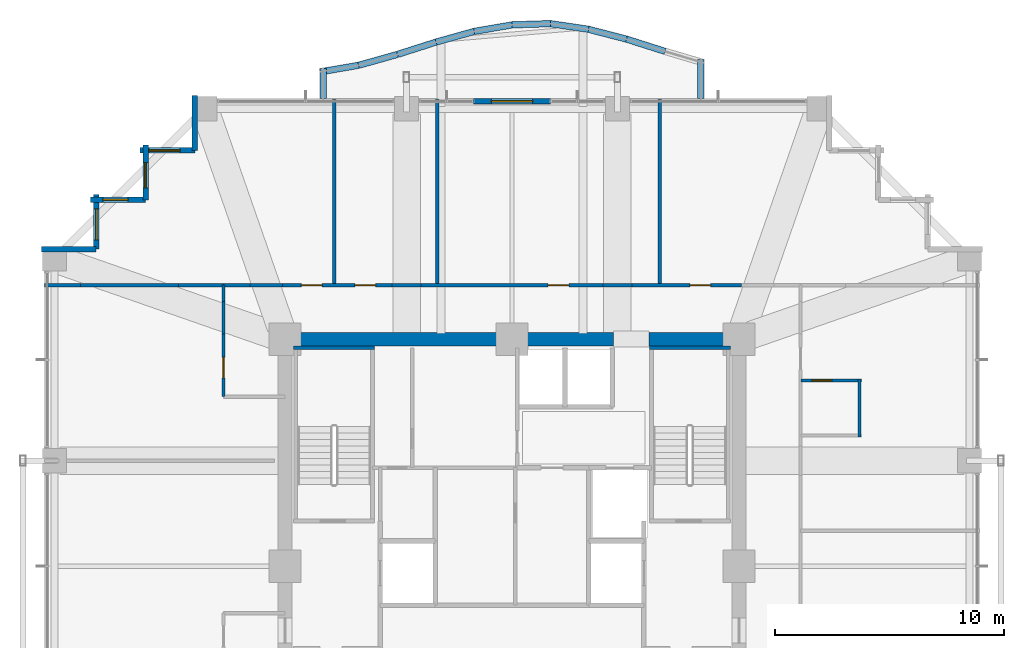
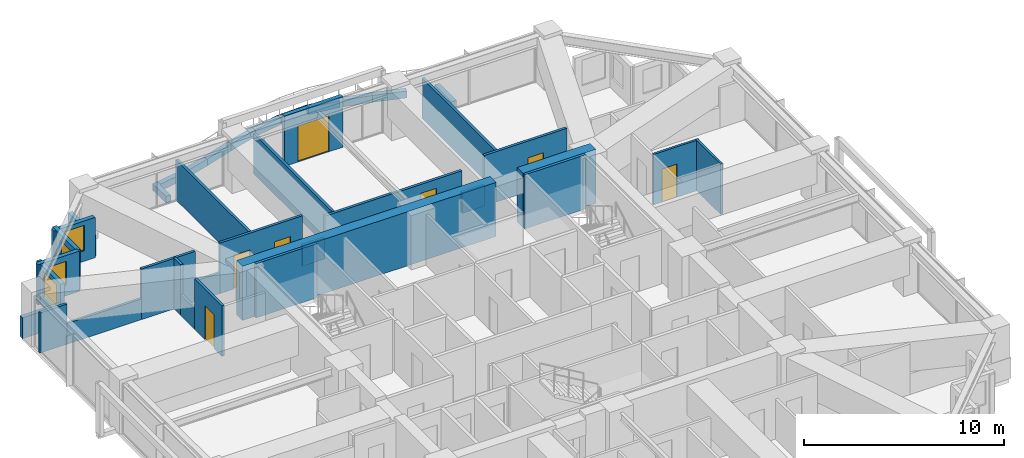
# One storey, part 36 of 39: 40 walls, 7 doors, 4 windows, 11 openings.
"""IFC4 building model written with IfcOpenShell, lengths in metres."""

from ifc_helpers import new_model, si_unit, direction, frame, frame_2d, origin, place, context, subcontext, project, spatial, rectangle, extrude, material, layer, layer_set, type_object, element, fill, save


model = new_model("IFC4")

# Units and contexts
model_context = context("Model", 3, precision=1e-05, world=origin(), true_north=direction((0.0, 1.0)))
body_context = subcontext(model_context, "Body", "Model", "MODEL_VIEW")
ifc_project = project(units=[si_unit("LENGTHUNIT", "METRE"), si_unit("AREAUNIT", "SQUARE_METRE"), si_unit("VOLUMEUNIT", "CUBIC_METRE"), si_unit("PLANEANGLEUNIT", "RADIAN"), si_unit("MASSUNIT", "GRAM", prefix="KILO")], contexts=[model_context])

# Site, building, storey
site_placement = place(None, origin())
site = spatial("IfcSite", under=ifc_project, at=site_placement, CompositionType="ELEMENT")
building_placement = place(site_placement, origin())
building = spatial("IfcBuilding", under=site, at=building_placement, Name="Kolvaren Belvedere", CompositionType="ELEMENT")
storey_placement = place(building_placement, frame((0.0, 0.0, 85.39990234375)))
storey = spatial("IfcBuildingStorey", under=building, at=storey_placement, Name="L24", CompositionType="ELEMENT", Elevation=85.39990234375)

# Walls
ifc_material_1 = material(Name="Concrete C60/75", Category="concrete")
ifc_layer_1 = layer(ifc_material_1, 0.60009765625)
ifc_layer_set_1 = layer_set([ifc_layer_1], Name="Concrete C60/75")
wall_type_1 = type_object("IfcWallType", Name="CW-CORE-600", PredefinedType="SHEAR", material=ifc_layer_set_1)
wall_1_placement = place(storey_placement, frame((-10.199951171875, 9.89990234375, 0.0), z_axis=(0.0, 0.0, 1.0), x_axis=(1.0, 0.0, 0.0)))
element("IfcWall", 1, at=wall_1_placement, inside=storey, type_object=wall_type_1, Name="L24 North Core Shear Wall 1", PredefinedType="SHEAR", context=body_context, shape_type="SweptSolid", body=[
    extrude(rectangle(XDim=14.619873046875, YDim=0.60009765625, at=frame_2d((7.31005859375, 0.0))), origin(), (0.0, 0.0, 1.0), 3.300048828125),
])
wall_2_placement = place(storey_placement, frame((5.97998046875, 9.89990234375, 0.0), z_axis=(0.0, 0.0, 1.0), x_axis=(1.0, 0.0, 0.0)))
element("IfcWall", 2, at=wall_2_placement, inside=storey, type_object=wall_type_1, Name="L24 North Core Shear Wall 2", PredefinedType="SHEAR", context=body_context, shape_type="SweptSolid", body=[
    extrude(rectangle(XDim=4.219970703125, YDim=0.60009765625, at=frame_2d((2.10986328125, 0.0))), origin(), (0.0, 0.0, 1.0), 3.300048828125),
])
ifc_material_2 = material(Name="Concrete C50/60", Category="concrete")
ifc_layer_2 = layer(ifc_material_2, 0.159912109375)
ifc_layer_set_2 = layer_set([ifc_layer_2], Name="Concrete C50/60")
wall_type_2 = type_object("IfcWallType", Name="CW-STAIR-160", PredefinedType="SHEAR", material=ifc_layer_set_2)
for number, where, z_axis, x_axis, name in (
    (3, (-9.52001953125, 9.530029296875, 0.0), (0.0, 0.0, 1.0), (1.0, 0.0, 0.0), "L24 Stair ST-1 North Shear Wall"),
    (4, (6.0, 9.530029296875, 0.0), (0.0, 0.0, 1.0), (1.0, 0.0, 0.0), "L24 Stair ST-2 North Shear Wall"),
):
    element("IfcWall", number, at=place(storey_placement, frame(where, z_axis=z_axis, x_axis=x_axis)), inside=storey, type_object=wall_type_2, Name=name, PredefinedType="SHEAR", context=body_context, shape_type="SweptSolid", body=[
        extrude(rectangle(XDim=3.52001953125, YDim=0.159912109375, at=frame_2d((1.760009765625, 0.0))), origin(), (0.0, 0.0, 1.0), 3.300048828125),
    ])
ifc_material_3 = material(Name="Gypsum fire-rated partition assembly", Category="gypsum")
ifc_layer_3 = layer(ifc_material_3, 0.14990234375)
ifc_layer_set_3 = layer_set([ifc_layer_3], Name="Gypsum fire-rated partition assembly")
wall_type_3 = type_object("IfcWallType", Name="WL-CORR-150", PredefinedType="PARTITIONING", material=ifc_layer_set_3)
wall_3_placement = place(storey_placement, frame((-12.580078125, 12.260009765625, 0.0), z_axis=(0.0, 0.0, 1.0), x_axis=(1.0, 0.0, 0.0)))
element("IfcWall", 5, at=wall_3_placement, inside=storey, type_object=wall_type_3, Name="L24 North Corridor Wall", PredefinedType="PARTITIONING", context=body_context, shape_type="SweptSolid", body=[
    extrude(rectangle(XDim=1.14990234375, YDim=0.14990234375, at=frame_2d((0.574951171875, 0.0))), origin(), (0.0, 0.0, 1.0), 3.080078125),
])
wall_4_placement = place(storey_placement, frame((-11.43017578125, 12.260009765625, 0.0), z_axis=(0.0, 0.0, 1.0), x_axis=(1.0, 0.0, 0.0)))
element("IfcWall", 6, at=wall_4_placement, inside=storey, type_object=wall_type_3, Name="L24 North Corridor Wall", PredefinedType="PARTITIONING", context=body_context, shape_type="SweptSolid", body=[
    extrude(rectangle(XDim=1.416748046875, YDim=0.14990234375, at=frame_2d((0.70849609375, 0.0))), origin(), (0.0, 0.0, 1.0), 1.26513671875),
])

# Wall, openings, doors
wall_5_placement = place(storey_placement, frame((-10.013427734375, 12.260009765625, 0.0), z_axis=(0.0, 0.0, 1.0), x_axis=(1.0, 0.0, 0.0)))
wall_5 = element("IfcWall", 7, at=wall_5_placement, inside=storey, type_object=wall_type_3, Name="L24 North Corridor Wall", PredefinedType="PARTITIONING", context=body_context, shape_type="SweptSolid", body=[
    extrude(rectangle(XDim=4.771484375, YDim=0.14990234375, at=frame_2d((2.3857421875, 0.0))), origin(), (0.0, 0.0, 1.0), 3.080078125),
])
opening_1_placement = place(wall_5_placement, frame((0.828369140625, 0.0, 0.0)))
opening_1 = element("IfcOpeningElement", 8, at=opening_1_placement, cuts=wall_5, Name="Opening D-INT90", PredefinedType="OPENING", context=body_context, shape_type="SweptSolid", body=[
    extrude(rectangle(XDim=0.89990234375, YDim=2.06005859375, at=frame_2d((0.449951171875, 1.030029296875))), frame((0.0, 0.0849609375, 0.0), z_axis=(0.0, -1.0, 0.0), x_axis=(1.0, 0.0, 0.0)), (0.0, 0.0, 1.0), 0.169921875),
])
opening_2_placement = place(wall_5_placement, frame((3.163330078125, 0.0, 0.0)))
opening_2 = element("IfcOpeningElement", 9, at=opening_2_placement, cuts=wall_5, Name="Opening D-INT90", PredefinedType="OPENING", context=body_context, shape_type="SweptSolid", body=[
    extrude(rectangle(XDim=0.89990234375, YDim=2.06005859375, at=frame_2d((0.449951171875, 1.030029296875))), frame((0.0, 0.0849609375, 0.0), z_axis=(0.0, -1.0, 0.0), x_axis=(1.0, 0.0, 0.0)), (0.0, 0.0, 1.0), 0.169921875),
])
ifc_material_4 = material(Name="Stained Pacific white oak", Category="timber")
door_type_1 = type_object("IfcDoorType", Name="DR-INT-900", OperationType="NOTDEFINED", PredefinedType="DOOR", material=ifc_material_4)
door_1_placement = place(opening_1_placement, origin())
door_1 = element("IfcDoor", 10, at=door_1_placement, inside=storey, type_object=door_type_1, Name="L24 Private Hospitality Meeting Room 2401 Door", OperationType="SINGLE_SWING_RIGHT", OverallHeight=2.06005859375, OverallWidth=0.89990234375, PredefinedType="DOOR", context=body_context, shape_type="SweptSolid", body=[
    extrude(rectangle(XDim=0.89990234375, YDim=2.06005859375, at=frame_2d((0.449951171875, 1.030029296875))), frame((0.0, 0.02490234375, 0.0), z_axis=(0.0, -1.0, 0.0), x_axis=(1.0, 0.0, 0.0)), (0.0, 0.0, 1.0), 0.050048828125),
])
fill(opening_1, door_1)
door_2_placement = place(opening_2_placement, origin())
door_2 = element("IfcDoor", 11, at=door_2_placement, inside=storey, type_object=door_type_1, Name="L24 Panoramic Quiet Lounge 2402 Door", OperationType="SINGLE_SWING_LEFT", OverallHeight=2.06005859375, OverallWidth=0.89990234375, PredefinedType="DOOR", context=body_context, shape_type="SweptSolid", body=[
    extrude(rectangle(XDim=0.89990234375, YDim=2.06005859375, at=frame_2d((0.449951171875, 1.030029296875))), frame((0.0, 0.02490234375, 0.0), z_axis=(0.0, -1.0, 0.0), x_axis=(1.0, 0.0, 0.0)), (0.0, 0.0, 1.0), 0.050048828125),
])
fill(opening_2, door_2)

# Wall
wall_6_placement = place(storey_placement, frame((-5.241943359375, 12.260009765625, 0.0), z_axis=(0.0, 0.0, 1.0), x_axis=(1.0, 0.0, 0.0)))
element("IfcWall", 12, at=wall_6_placement, inside=storey, type_object=wall_type_3, Name="L24 North Corridor Wall", PredefinedType="PARTITIONING", context=body_context, shape_type="SweptSolid", body=[
    extrude(rectangle(XDim=1.283935546875, YDim=0.14990234375, at=frame_2d((0.64208984375, 0.0))), origin(), (0.0, 0.0, 1.0), 1.26513671875),
])

# Wall, opening, door
wall_7_placement = place(storey_placement, frame((-3.9580078125, 12.260009765625, 0.0), z_axis=(0.0, 0.0, 1.0), x_axis=(1.0, 0.0, 0.0)))
wall_7 = element("IfcWall", 13, at=wall_7_placement, inside=storey, type_object=wall_type_3, Name="L24 North Corridor Wall", PredefinedType="PARTITIONING", context=body_context, shape_type="SweptSolid", body=[
    extrude(rectangle(XDim=7.916015625, YDim=0.14990234375, at=frame_2d((3.9580078125, 0.0))), origin(), (0.0, 0.0, 1.0), 2.60498046875),
])
opening_3_placement = place(wall_7_placement, frame((5.5380859375, 0.0, 0.0)))
opening_3 = element("IfcOpeningElement", 14, at=opening_3_placement, cuts=wall_7, Name="Opening D-INT90", PredefinedType="OPENING", context=body_context, shape_type="SweptSolid", body=[
    extrude(rectangle(XDim=0.89990234375, YDim=2.06005859375, at=frame_2d((0.449951171875, 1.030029296875))), frame((0.0, 0.0849609375, 0.0), z_axis=(0.0, -1.0, 0.0), x_axis=(1.0, 0.0, 0.0)), (0.0, 0.0, 1.0), 0.169921875),
])
door_3_placement = place(opening_3_placement, origin())
door_3 = element("IfcDoor", 15, at=door_3_placement, inside=storey, type_object=door_type_1, Name="L24 Botanical Reading Salon 2403 Door", OperationType="SINGLE_SWING_RIGHT", OverallHeight=2.06005859375, OverallWidth=0.89990234375, PredefinedType="DOOR", context=body_context, shape_type="SweptSolid", body=[
    extrude(rectangle(XDim=0.89990234375, YDim=2.06005859375, at=frame_2d((0.449951171875, 1.030029296875))), frame((0.0, 0.02490234375, 0.0), z_axis=(0.0, -1.0, 0.0), x_axis=(1.0, 0.0, 0.0)), (0.0, 0.0, 1.0), 0.050048828125),
])
fill(opening_3, door_3)

# Wall
wall_8_placement = place(storey_placement, frame((3.9580078125, 12.260009765625, 0.0), z_axis=(0.0, 0.0, 1.0), x_axis=(1.0, 0.0, 0.0)))
element("IfcWall", 16, at=wall_8_placement, inside=storey, type_object=wall_type_3, Name="L24 North Corridor Wall", PredefinedType="PARTITIONING", context=body_context, shape_type="SweptSolid", body=[
    extrude(rectangle(XDim=1.283935546875, YDim=0.14990234375, at=frame_2d((0.64208984375, 0.0))), origin(), (0.0, 0.0, 1.0), 1.26513671875),
])

# Wall, opening, door
wall_9_placement = place(storey_placement, frame((5.241943359375, 12.260009765625, 0.0), z_axis=(0.0, 0.0, 1.0), x_axis=(1.0, 0.0, 0.0)))
wall_9 = element("IfcWall", 17, at=wall_9_placement, inside=storey, type_object=wall_type_3, Name="L24 North Corridor Wall", PredefinedType="PARTITIONING", context=body_context, shape_type="SweptSolid", body=[
    extrude(rectangle(XDim=4.771484375, YDim=0.14990234375, at=frame_2d((2.3857421875, 0.0))), origin(), (0.0, 0.0, 1.0), 3.080078125),
])
opening_4_placement = place(wall_9_placement, frame((2.51904296875, 0.0, 0.0)))
opening_4 = element("IfcOpeningElement", 18, at=opening_4_placement, cuts=wall_9, Name="Opening D-INT90", PredefinedType="OPENING", context=body_context, shape_type="SweptSolid", body=[
    extrude(rectangle(XDim=0.89990234375, YDim=2.06005859375, at=frame_2d((0.449951171875, 1.030029296875))), frame((0.0, 0.0849609375, 0.0), z_axis=(0.0, -1.0, 0.0), x_axis=(1.0, 0.0, 0.0)), (0.0, 0.0, 1.0), 0.169921875),
])
door_4_placement = place(opening_4_placement, origin())
door_4 = element("IfcDoor", 19, at=door_4_placement, inside=storey, type_object=door_type_1, Name="L24 Lounge 2404 Door", OperationType="SINGLE_SWING_LEFT", OverallHeight=2.06005859375, OverallWidth=0.89990234375, PredefinedType="DOOR", context=body_context, shape_type="SweptSolid", body=[
    extrude(rectangle(XDim=0.89990234375, YDim=2.06005859375, at=frame_2d((0.449951171875, 1.030029296875))), frame((0.0, 0.02490234375, 0.0), z_axis=(0.0, -1.0, 0.0), x_axis=(1.0, 0.0, 0.0)), (0.0, 0.0, 1.0), 0.050048828125),
])
fill(opening_4, door_4)

wall_10_placement = place(storey_placement, frame((-12.580078125, 7.39990234375, 0.0), z_axis=(0.0, 0.0, 1.0), x_axis=(0.0, 1.0, 0.0)))
wall_10 = element("IfcWall", 20, at=wall_10_placement, inside=storey, type_object=wall_type_3, Name="L24 NW Corridor End Wall", PredefinedType="PARTITIONING", context=body_context, shape_type="SweptSolid", body=[
    extrude(rectangle(XDim=2.72509765625, YDim=0.14990234375, at=frame_2d((1.362548828125, 0.0))), origin(), (0.0, 0.0, 1.0), 3.080078125),
])
opening_5_placement = place(wall_10_placement, frame((0.810302734375, 0.0, 0.0)))
opening_5 = element("IfcOpeningElement", 21, at=opening_5_placement, cuts=wall_10, Name="Opening D-INT90", PredefinedType="OPENING", context=body_context, shape_type="SweptSolid", body=[
    extrude(rectangle(XDim=0.89990234375, YDim=2.06005859375, at=frame_2d((0.449951171875, 1.030029296875))), frame((0.0, 0.0849609375, 0.0), z_axis=(0.0, -1.0, 0.0), x_axis=(1.0, 0.0, 0.0)), (0.0, 0.0, 1.0), 0.169921875),
])
door_5_placement = place(opening_5_placement, origin())
door_5 = element("IfcDoor", 22, at=door_5_placement, inside=storey, type_object=door_type_1, Name="L24 Lounge 2407 Door", OperationType="SINGLE_SWING_LEFT", OverallHeight=2.06005859375, OverallWidth=0.89990234375, PredefinedType="DOOR", context=body_context, shape_type="SweptSolid", body=[
    extrude(rectangle(XDim=0.89990234375, YDim=2.06005859375, at=frame_2d((0.449951171875, 1.030029296875))), frame((0.0, 0.02490234375, 0.0), z_axis=(0.0, -1.0, 0.0), x_axis=(1.0, 0.0, 0.0)), (0.0, 0.0, 1.0), 0.050048828125),
])
fill(opening_5, door_5)

# Walls
wall_11_placement = place(storey_placement, frame((-12.580078125, 10.125, 0.0), z_axis=(0.0, 0.0, 1.0), x_axis=(0.0, 1.0, 0.0)))
element("IfcWall", 23, at=wall_11_placement, inside=storey, type_object=wall_type_3, Name="L24 NW Corridor End Wall", PredefinedType="PARTITIONING", context=body_context, shape_type="SweptSolid", body=[
    extrude(rectangle(XDim=1.416748046875, YDim=0.14990234375, at=frame_2d((0.70849609375, 0.0))), origin(), (0.0, 0.0, 1.0), 1.26513671875),
])
wall_12_placement = place(storey_placement, frame((-12.580078125, 11.541748046875, 0.0), z_axis=(0.0, 0.0, 1.0), x_axis=(0.0, 1.0, 0.0)))
element("IfcWall", 24, at=wall_12_placement, inside=storey, type_object=wall_type_3, Name="L24 NW Corridor End Wall", PredefinedType="PARTITIONING", context=body_context, shape_type="SweptSolid", body=[
    extrude(rectangle(XDim=0.71826171875, YDim=0.14990234375, at=frame_2d((0.359130859375, 0.0))), origin(), (0.0, 0.0, 1.0), 3.080078125),
])

# Wall, opening, door
ifc_material_5 = material(Name="Insulated pale-metal facade wall assembly", Category="aluminium")
ifc_layer_4 = layer(ifc_material_5, 0.239990234375)
ifc_layer_set_4 = layer_set([ifc_layer_4], Name="Insulated pale-metal facade wall assembly")
wall_type_4 = type_object("IfcWallType", Name="WL-EXT-240", PredefinedType="STANDARD", material=ifc_layer_set_4)
wall_13_placement = place(storey_placement, frame((-1.679931640625, 20.280029296875, 0.0), z_axis=(0.0, 0.0, 1.0), x_axis=(1.0, 0.0, 0.0)))
wall_13 = element("IfcWall", 25, at=wall_13_placement, inside=storey, type_object=wall_type_4, Name="L24 North Terrace Portal Wall", PredefinedType="STANDARD", context=body_context, shape_type="SweptSolid", body=[
    extrude(rectangle(XDim=3.35986328125, YDim=0.239990234375, at=frame_2d((1.679931640625, 0.0))), origin(), (0.0, 0.0, 1.0), 3.080078125),
])
opening_6_placement = place(wall_13_placement, frame((0.780029296875, 0.0, 0.0)))
opening_6 = element("IfcOpeningElement", 26, at=opening_6_placement, cuts=wall_13, Name="Opening DB-1800", PredefinedType="OPENING", context=body_context, shape_type="SweptSolid", body=[
    extrude(rectangle(XDim=1.800048828125, YDim=2.199951171875, at=frame_2d((0.89990234375, 1.10009765625))), frame((0.0, 0.1298828125, 0.0), z_axis=(0.0, -1.0, 0.0), x_axis=(1.0, 0.0, 0.0)), (0.0, 0.0, 1.0), 0.260009765625),
])
ifc_material_6 = material(Name="Thermally broken pale-metal aluminium & low-iron glass", Category="aluminium")
door_type_2 = type_object("IfcDoorType", Name="DR-BAL-1800", OperationType="DOUBLE_DOOR_SLIDING", PredefinedType="DOOR", material=ifc_material_6)
door_6_placement = place(opening_6_placement, origin())
door_6 = element("IfcDoor", 27, at=door_6_placement, inside=storey, type_object=door_type_2, Name="L24 North Planted Terrace Sliding Door", OperationType="DOUBLE_DOOR_SLIDING", OverallHeight=2.199951171875, OverallWidth=1.800048828125, PredefinedType="DOOR", context=body_context, shape_type="SweptSolid", body=[
    extrude(rectangle(XDim=1.800048828125, YDim=2.199951171875, at=frame_2d((0.89990234375, 1.10009765625))), frame((0.0, 0.02490234375, 0.0), z_axis=(0.0, -1.0, 0.0), x_axis=(1.0, 0.0, 0.0)), (0.0, 0.0, 1.0), 0.050048828125),
])
fill(opening_6, door_6)

# Wall
wall_14_placement = place(storey_placement, frame((-13.830078125, 18.1298828125, 0.0), z_axis=(0.0, 0.0, 1.0), x_axis=(0.0, 1.0, 0.0)))
element("IfcWall", 28, at=wall_14_placement, inside=storey, type_object=wall_type_4, Name="L24 Serrated Corner Facade Wall 16", PredefinedType="STANDARD", context=body_context, shape_type="SweptSolid", body=[
    extrude(rectangle(XDim=2.39013671875, YDim=0.239990234375, at=frame_2d((1.195068359375, 0.0))), origin(), (0.0, 0.0, 1.0), 1.275146484375),
])

# Wall, opening, window
wall_15_placement = place(storey_placement, frame((-16.219970703125, 18.1298828125, 0.0), z_axis=(0.0, 0.0, 1.0), x_axis=(1.0, 0.0, 0.0)))
wall_15 = element("IfcWall", 29, at=wall_15_placement, inside=storey, type_object=wall_type_4, Name="L24 Serrated Corner Facade Wall 17", PredefinedType="STANDARD", context=body_context, shape_type="SweptSolid", body=[
    extrude(rectangle(XDim=2.389892578125, YDim=0.239990234375, at=frame_2d((1.19482421875, 0.0))), origin(), (0.0, 0.0, 1.0), 2.458984375),
])
opening_7_placement = place(wall_15_placement, frame((0.39990234375, 0.0, 0.64990234375)))
opening_7 = element("IfcOpeningElement", 30, at=opening_7_placement, cuts=wall_15, Name="Opening W-1350", PredefinedType="OPENING", context=body_context, shape_type="SweptSolid", body=[
    extrude(rectangle(XDim=1.35009765625, YDim=1.550048828125, at=frame_2d((0.675048828125, 0.77490234375))), frame((0.0, 0.1298828125, 0.0), z_axis=(0.0, -1.0, 0.0), x_axis=(1.0, 0.0, 0.0)), (0.0, 0.0, 1.0), 0.260009765625),
])
ifc_material_7 = material(Name="Low-iron triple insulated glass", Category="glass")
window_type_1 = type_object("IfcWindowType", Name="WN-CORN-1350", PartitioningType="SINGLE_PANEL", PredefinedType="WINDOW", material=ifc_material_7)
window_1_placement = place(opening_7_placement, origin())
window_1 = element("IfcWindow", 31, at=window_1_placement, inside=storey, type_object=window_type_1, Name="L24 Serrated Corner Vision Window 17", OverallHeight=1.550048828125, OverallWidth=1.35009765625, PartitioningType="SINGLE_PANEL", PredefinedType="WINDOW", context=body_context, shape_type="SweptSolid", body=[
    extrude(rectangle(XDim=1.35009765625, YDim=1.550048828125, at=frame_2d((0.675048828125, 0.77490234375))), frame((0.0, 0.030029296875, 0.0), z_axis=(0.0, -1.0, 0.0), x_axis=(1.0, 0.0, 0.0)), (0.0, 0.0, 1.0), 0.06005859375),
])
fill(opening_7, window_1)

wall_16_placement = place(storey_placement, frame((-15.97998046875, 15.97998046875, 0.0), z_axis=(0.0, 0.0, 1.0), x_axis=(0.0, 1.0, 0.0)))
wall_16 = element("IfcWall", 32, at=wall_16_placement, inside=storey, type_object=wall_type_4, Name="L24 Serrated Corner Facade Wall 18", PredefinedType="STANDARD", context=body_context, shape_type="SweptSolid", body=[
    extrude(rectangle(XDim=2.39013671875, YDim=0.239990234375, at=frame_2d((1.195068359375, 0.0))), origin(), (0.0, 0.0, 1.0), 2.458984375),
])
opening_8_placement = place(wall_16_placement, frame((0.52490234375, 0.0, 0.64990234375)))
opening_8 = element("IfcOpeningElement", 33, at=opening_8_placement, cuts=wall_16, Name="Opening W-1100", PredefinedType="OPENING", context=body_context, shape_type="SweptSolid", body=[
    extrude(rectangle(XDim=1.10009765625, YDim=1.449951171875, at=frame_2d((0.550048828125, 0.72509765625))), frame((0.0, 0.1298828125, 0.0), z_axis=(0.0, -1.0, 0.0), x_axis=(1.0, 0.0, 0.0)), (0.0, 0.0, 1.0), 0.260009765625),
])
ifc_material_8 = material(Name="Low-iron triple insulated glass", Category="glass")
window_type_2 = type_object("IfcWindowType", Name="WN-CORN-1100", PartitioningType="SINGLE_PANEL", PredefinedType="WINDOW", material=ifc_material_8)
window_2_placement = place(opening_8_placement, origin())
window_2 = element("IfcWindow", 34, at=window_2_placement, inside=storey, type_object=window_type_2, Name="L24 Serrated Corner Vision Window 18", OverallHeight=1.449951171875, OverallWidth=1.10009765625, PartitioningType="SINGLE_PANEL", PredefinedType="WINDOW", context=body_context, shape_type="SweptSolid", body=[
    extrude(rectangle(XDim=1.10009765625, YDim=1.449951171875, at=frame_2d((0.550048828125, 0.72509765625))), frame((0.0, 0.030029296875, 0.0), z_axis=(0.0, -1.0, 0.0), x_axis=(1.0, 0.0, 0.0)), (0.0, 0.0, 1.0), 0.06005859375),
])
fill(opening_8, window_2)

wall_17_placement = place(storey_placement, frame((-18.3701171875, 15.97998046875, 0.0), z_axis=(0.0, 0.0, 1.0), x_axis=(1.0, 0.0, 0.0)))
wall_17 = element("IfcWall", 35, at=wall_17_placement, inside=storey, type_object=wall_type_4, Name="L24 Serrated Corner Facade Wall 19", PredefinedType="STANDARD", context=body_context, shape_type="SweptSolid", body=[
    extrude(rectangle(XDim=2.39013671875, YDim=0.239990234375, at=frame_2d((1.195068359375, 0.0))), origin(), (0.0, 0.0, 1.0), 2.458984375),
])
opening_9_placement = place(wall_17_placement, frame((0.52490234375, 0.0, 0.64990234375)))
opening_9 = element("IfcOpeningElement", 36, at=opening_9_placement, cuts=wall_17, Name="Opening W-1100", PredefinedType="OPENING", context=body_context, shape_type="SweptSolid", body=[
    extrude(rectangle(XDim=1.10009765625, YDim=1.449951171875, at=frame_2d((0.550048828125, 0.72509765625))), frame((0.0, 0.1298828125, 0.0), z_axis=(0.0, -1.0, 0.0), x_axis=(1.0, 0.0, 0.0)), (0.0, 0.0, 1.0), 0.260009765625),
])
window_3_placement = place(opening_9_placement, origin())
window_3 = element("IfcWindow", 37, at=window_3_placement, inside=storey, type_object=window_type_2, Name="L24 Serrated Corner Vision Window 19", OverallHeight=1.449951171875, OverallWidth=1.10009765625, PartitioningType="SINGLE_PANEL", PredefinedType="WINDOW", context=body_context, shape_type="SweptSolid", body=[
    extrude(rectangle(XDim=1.10009765625, YDim=1.449951171875, at=frame_2d((0.550048828125, 0.72509765625))), frame((0.0, 0.030029296875, 0.0), z_axis=(0.0, -1.0, 0.0), x_axis=(1.0, 0.0, 0.0)), (0.0, 0.0, 1.0), 0.06005859375),
])
fill(opening_9, window_3)

wall_18_placement = place(storey_placement, frame((-18.1298828125, 13.830078125, 0.0), z_axis=(0.0, 0.0, 1.0), x_axis=(0.0, 1.0, 0.0)))
wall_18 = element("IfcWall", 38, at=wall_18_placement, inside=storey, type_object=wall_type_4, Name="L24 Serrated Corner Facade Wall 20", PredefinedType="STANDARD", context=body_context, shape_type="SweptSolid", body=[
    extrude(rectangle(XDim=2.389892578125, YDim=0.239990234375, at=frame_2d((1.19482421875, 0.0))), origin(), (0.0, 0.0, 1.0), 2.458984375),
])
opening_10_placement = place(wall_18_placement, frame((0.39990234375, 0.0, 0.64990234375)))
opening_10 = element("IfcOpeningElement", 39, at=opening_10_placement, cuts=wall_18, Name="Opening W-1350", PredefinedType="OPENING", context=body_context, shape_type="SweptSolid", body=[
    extrude(rectangle(XDim=1.35009765625, YDim=1.550048828125, at=frame_2d((0.675048828125, 0.77490234375))), frame((0.0, 0.1298828125, 0.0), z_axis=(0.0, -1.0, 0.0), x_axis=(1.0, 0.0, 0.0)), (0.0, 0.0, 1.0), 0.260009765625),
])
window_4_placement = place(opening_10_placement, origin())
window_4 = element("IfcWindow", 40, at=window_4_placement, inside=storey, type_object=window_type_1, Name="L24 Serrated Corner Vision Window 20", OverallHeight=1.550048828125, OverallWidth=1.35009765625, PartitioningType="SINGLE_PANEL", PredefinedType="WINDOW", context=body_context, shape_type="SweptSolid", body=[
    extrude(rectangle(XDim=1.35009765625, YDim=1.550048828125, at=frame_2d((0.675048828125, 0.77490234375))), frame((0.0, 0.030029296875, 0.0), z_axis=(0.0, -1.0, 0.0), x_axis=(1.0, 0.0, 0.0)), (0.0, 0.0, 1.0), 0.06005859375),
])
fill(opening_10, window_4)

# Walls
wall_19_placement = place(storey_placement, frame((-20.52001953125, 13.830078125, 0.0), z_axis=(0.0, 0.0, 1.0), x_axis=(1.0, 0.0, 0.0)))
element("IfcWall", 41, at=wall_19_placement, inside=storey, type_object=wall_type_4, Name="L24 Serrated Corner Facade Wall 21", PredefinedType="STANDARD", context=body_context, shape_type="SweptSolid", body=[
    extrude(rectangle(XDim=2.39013671875, YDim=0.239990234375, at=frame_2d((1.195068359375, 0.0))), origin(), (0.0, 0.0, 1.0), 1.275146484375),
])
ifc_material_9 = material(Name="Gypsum acoustic partition assembly", Category="gypsum")
ifc_layer_5 = layer(ifc_material_9, 0.14990234375)
ifc_layer_set_5 = layer_set([ifc_layer_5], Name="Gypsum acoustic partition assembly")
wall_type_5 = type_object("IfcWallType", Name="WL-PART-150", PredefinedType="PARTITIONING", material=ifc_layer_set_5)
wall_20_placement = place(storey_placement, frame((-20.3798828125, 12.260009765625, 0.0), z_axis=(0.0, 0.0, 1.0), x_axis=(1.0, 0.0, 0.0)))
element("IfcWall", 42, at=wall_20_placement, inside=storey, type_object=wall_type_5, Name="L24 Wing Divider PW-L24-QNW", PredefinedType="PARTITIONING", context=body_context, shape_type="SweptSolid", body=[
    extrude(rectangle(XDim=1.5625, YDim=0.14990234375, at=frame_2d((0.78125, 0.0))), origin(), (0.0, 0.0, 1.0), 2.44921875),
])
wall_21_placement = place(storey_placement, frame((-18.8173828125, 12.260009765625, 0.0), z_axis=(0.0, 0.0, 1.0), x_axis=(1.0, 0.0, 0.0)))
element("IfcWall", 43, at=wall_21_placement, inside=storey, type_object=wall_type_5, Name="L24 Wing Divider PW-L24-QNW", PredefinedType="PARTITIONING", context=body_context, shape_type="SweptSolid", body=[
    extrude(rectangle(XDim=4.281494140625, YDim=0.14990234375, at=frame_2d((2.140625, 0.0))), origin(), (0.0, 0.0, 1.0), 1.26513671875),
])
wall_22_placement = place(storey_placement, frame((-14.535888671875, 12.260009765625, 0.0), z_axis=(0.0, 0.0, 1.0), x_axis=(1.0, 0.0, 0.0)))
element("IfcWall", 44, at=wall_22_placement, inside=storey, type_object=wall_type_5, Name="L24 Wing Divider PW-L24-QNW", PredefinedType="PARTITIONING", context=body_context, shape_type="SweptSolid", body=[
    extrude(rectangle(XDim=1.955810546875, YDim=0.14990234375, at=frame_2d((0.97802734375, 0.0))), origin(), (0.0, 0.0, 1.0), 3.080078125),
])
for number, where, z_axis, x_axis, name in (
    (45, (-7.756103515625, 12.260009765625, 0.0), (0.0, 0.0, 1.0), (0.0, 1.0, 0.0), "L24 North Suite Demising Wall 1"),
    (46, (-3.256103515625, 12.260009765625, 0.0), (0.0, 0.0, 1.0), (0.0, 1.0, 0.0), "L24 North Suite Demising Wall 2"),
    (47, (6.444091796875, 12.260009765625, 0.0), (0.0, 0.0, 1.0), (0.0, 1.0, 0.0), "L24 North Suite Demising Wall 3"),
):
    element("IfcWall", number, at=place(storey_placement, frame(where, z_axis=z_axis, x_axis=x_axis)), inside=storey, type_object=wall_type_5, Name=name, PredefinedType="PARTITIONING", context=body_context, shape_type="SweptSolid", body=[
        extrude(rectangle(XDim=8.119873046875, YDim=0.14990234375, at=frame_2d((4.06005859375, 0.0))), origin(), (0.0, 0.0, 1.0), 2.44921875),
    ])
ifc_material_10 = material(Name="Precast concrete C40/50", Category="concrete")
ifc_layer_6 = layer(ifc_material_10, 0.300048828125)
ifc_layer_set_6 = layer_set([ifc_layer_6], Name="Precast concrete C40/50")
wall_type_6 = type_object("IfcWallType", Name="WL-PLANTER-300", PredefinedType="PARAPET", material=ifc_layer_set_6)
wall_23_placement = place(storey_placement, frame((8.239990234375, 20.39990234375, -0.039794921875), z_axis=(0.0, 0.0, 1.0), x_axis=(0.0, 1.0, 0.0)))
element("IfcWall", 48, at=wall_23_placement, inside=storey, type_object=wall_type_6, Name="L24 Precast Structural Planter Wall BAL-N-11", PredefinedType="PARAPET", context=body_context, shape_type="SweptSolid", body=[
    extrude(rectangle(XDim=1.705322265625, YDim=0.280029296875, at=frame_2d((0.8525390625, 0.0))), origin(), (0.0, 0.0, 1.0), 0.419921875),
])
wall_24_placement = place(storey_placement, frame((6.671630859375, 22.4521484375, -0.039794921875), z_axis=(0.0, 0.0, 1.0), x_axis=(-0.953181954832, 0.302397356111, 0.0)))
element("IfcWall", 49, at=wall_24_placement, inside=storey, type_object=wall_type_6, Name="L24 Precast Structural Planter Wall BAL-N-13", PredefinedType="PARAPET", context=body_context, shape_type="SweptSolid", body=[
    extrude(rectangle(XDim=1.762451171875, YDim=0.280029296875, at=frame_2d((0.88134765625, 0.0))), origin(), (0.0, 0.0, 1.0), 0.419921875),
])
wall_25_placement = place(storey_placement, frame((5.0, 22.982666015625, -0.039794921875), z_axis=(0.0, 0.0, 1.0), x_axis=(-0.968141031826, 0.250405556038, 0.0)))
element("IfcWall", 50, at=wall_25_placement, inside=storey, type_object=wall_type_6, Name="L24 Precast Structural Planter Wall BAL-N-14", PredefinedType="PARAPET", context=body_context, shape_type="SweptSolid", body=[
    extrude(rectangle(XDim=1.7353515625, YDim=0.280029296875, at=frame_2d((0.86767578125, 0.0))), origin(), (0.0, 0.0, 1.0), 0.419921875),
])
wall_26_placement = place(storey_placement, frame((3.336669921875, 23.413818359375, -0.039794921875), z_axis=(0.0, 0.0, 1.0), x_axis=(-0.989295127716, 0.145928579368, 0.0)))
element("IfcWall", 51, at=wall_26_placement, inside=storey, type_object=wall_type_6, Name="L24 Precast Structural Planter Wall BAL-N-15", PredefinedType="PARAPET", context=body_context, shape_type="SweptSolid", body=[
    extrude(rectangle(XDim=1.697998046875, YDim=0.280029296875, at=frame_2d((0.84912109375, 0.0))), origin(), (0.0, 0.0, 1.0), 0.419921875),
])
wall_27_placement = place(storey_placement, frame((1.68505859375, 23.66015625, -0.039794921875), z_axis=(0.0, 0.0, 1.0), x_axis=(-0.999503251643, -0.031515868295, 0.0)))
element("IfcWall", 52, at=wall_27_placement, inside=storey, type_object=wall_type_6, Name="L24 Precast Structural Planter Wall BAL-N-16", PredefinedType="PARAPET", context=body_context, shape_type="SweptSolid", body=[
    extrude(rectangle(XDim=1.680908203125, YDim=0.280029296875, at=frame_2d((0.84033203125, 0.0))), origin(), (0.0, 0.0, 1.0), 0.419921875),
])
wall_28_placement = place(storey_placement, frame((0.027099609375, 23.609375, -0.039794921875), z_axis=(0.0, 0.0, 1.0), x_axis=(-0.985640648378, -0.168856484225, 0.0)))
element("IfcWall", 53, at=wall_28_placement, inside=storey, type_object=wall_type_6, Name="L24 Precast Structural Planter Wall BAL-N-17", PredefinedType="PARAPET", context=body_context, shape_type="SweptSolid", body=[
    extrude(rectangle(XDim=1.70458984375, YDim=0.280029296875, at=frame_2d((0.852294921875, 0.0))), origin(), (0.0, 0.0, 1.0), 0.419921875),
])
wall_29_placement = place(storey_placement, frame((-1.63671875, 23.3251953125, -0.039794921875), z_axis=(0.0, 0.0, 1.0), x_axis=(-0.962926227834, -0.269764860108, 0.0)))
element("IfcWall", 54, at=wall_29_placement, inside=storey, type_object=wall_type_6, Name="L24 Precast Structural Planter Wall BAL-N-18", PredefinedType="PARAPET", context=body_context, shape_type="SweptSolid", body=[
    extrude(rectangle(XDim=1.744873046875, YDim=0.280029296875, at=frame_2d((0.87255859375, 0.0))), origin(), (0.0, 0.0, 1.0), 0.419921875),
])
wall_30_placement = place(storey_placement, frame((-3.311279296875, 22.856201171875, -0.039794921875), z_axis=(0.0, 0.0, 1.0), x_axis=(-0.952501264923, -0.304534629099, 0.0)))
element("IfcWall", 55, at=wall_30_placement, inside=storey, type_object=wall_type_6, Name="L24 Precast Structural Planter Wall BAL-N-19", PredefinedType="PARAPET", context=body_context, shape_type="SweptSolid", body=[
    extrude(rectangle(XDim=1.763671875, YDim=0.280029296875, at=frame_2d((0.8818359375, 0.0))), origin(), (0.0, 0.0, 1.0), 0.419921875),
])
wall_31_placement = place(storey_placement, frame((-4.996826171875, 22.3173828125, -0.039794921875), z_axis=(0.0, 0.0, 1.0), x_axis=(-0.962916043401, -0.269801210823, 0.0)))
element("IfcWall", 56, at=wall_31_placement, inside=storey, type_object=wall_type_6, Name="L24 Precast Structural Planter Wall BAL-N-20", PredefinedType="PARAPET", context=body_context, shape_type="SweptSolid", body=[
    extrude(rectangle(XDim=1.74462890625, YDim=0.280029296875, at=frame_2d((0.872314453125, 0.0))), origin(), (0.0, 0.0, 1.0), 0.419921875),
])
wall_32_placement = place(storey_placement, frame((-6.693115234375, 21.843017578125, -0.039794921875), z_axis=(0.0, 0.0, 1.0), x_axis=(-0.985636563949, -0.16888032392, 0.0)))
element("IfcWall", 57, at=wall_32_placement, inside=storey, type_object=wall_type_6, Name="L24 Precast Structural Planter Wall BAL-N-21", PredefinedType="PARAPET", context=body_context, shape_type="SweptSolid", body=[
    extrude(rectangle(XDim=1.704345703125, YDim=0.280029296875, at=frame_2d((0.85205078125, 0.0))), origin(), (0.0, 0.0, 1.0), 0.419921875),
])
wall_33_placement = place(storey_placement, frame((-8.239990234375, 21.712890625, -0.039794921875), z_axis=(0.0, 0.0, 1.0), x_axis=(0.0, -1.0, 0.0)))
element("IfcWall", 58, at=wall_33_placement, inside=storey, type_object=wall_type_6, Name="L24 Precast Structural Planter Wall BAL-N-22", PredefinedType="PARAPET", context=body_context, shape_type="SweptSolid", body=[
    extrude(rectangle(XDim=1.31298828125, YDim=0.280029296875, at=frame_2d((0.656494140625, 0.0))), origin(), (0.0, 0.0, 1.0), 0.419921875),
])

# Wall, opening, door
ifc_material_11 = material(Name="Moisture-resistant gypsum partition", Category="gypsum")
ifc_layer_7 = layer(ifc_material_11, 0.125)
ifc_layer_set_7 = layer_set([ifc_layer_7], Name="Moisture-resistant gypsum partition")
wall_type_7 = type_object("IfcWallType", Name="WL-WET-125", PredefinedType="PARTITIONING", material=ifc_layer_set_7)
wall_34_placement = place(storey_placement, frame((12.594970703125, 8.10009765625, 0.0), z_axis=(0.0, 0.0, 1.0), x_axis=(1.0, 0.0, 0.0)))
wall_34 = element("IfcWall", 59, at=wall_34_placement, inside=storey, type_object=wall_type_7, Name="L24 Bathroom Partition PW-L24-BTH-6-N", PredefinedType="PARTITIONING", context=body_context, shape_type="SweptSolid", body=[
    extrude(rectangle(XDim=2.64013671875, YDim=0.125, at=frame_2d((1.320068359375, 0.0))), origin(), (0.0, 0.0, 1.0), 3.080078125),
])
opening_11_placement = place(wall_34_placement, frame((0.5, 0.0, 0.0)))
opening_11 = element("IfcOpeningElement", 60, at=opening_11_placement, cuts=wall_34, Name="Opening D-BTH85", PredefinedType="OPENING", context=body_context, shape_type="SweptSolid", body=[
    extrude(rectangle(XDim=0.85009765625, YDim=2.030029296875, at=frame_2d((0.425048828125, 1.01513671875))), frame((0.0, 0.072509765625, 0.0), z_axis=(0.0, -1.0, 0.0), x_axis=(1.0, 0.0, 0.0)), (0.0, 0.0, 1.0), 0.14501953125),
])
ifc_material_12 = material(Name="Moisture-sealed Pacific white oak", Category="timber")
door_type_3 = type_object("IfcDoorType", Name="DR-BATH-850", OperationType="NOTDEFINED", PredefinedType="DOOR", material=ifc_material_12)
door_7_placement = place(opening_11_placement, origin())
door_7 = element("IfcDoor", 61, at=door_7_placement, inside=storey, type_object=door_type_3, Name="L24 En-Suite Bathroom 2406 Door", OperationType="SINGLE_SWING_LEFT", OverallHeight=2.030029296875, OverallWidth=0.85009765625, PredefinedType="DOOR", context=body_context, shape_type="SweptSolid", body=[
    extrude(rectangle(XDim=0.85009765625, YDim=2.030029296875, at=frame_2d((0.425048828125, 1.01513671875))), frame((0.0, 0.02490234375, 0.0), z_axis=(0.0, -1.0, 0.0), x_axis=(1.0, 0.0, 0.0)), (0.0, 0.0, 1.0), 0.050048828125),
])
fill(opening_11, door_7)

# Wall
wall_35_placement = place(storey_placement, frame((15.155029296875, 5.639892578125, 0.0), z_axis=(0.0, 0.0, 1.0), x_axis=(0.0, 1.0, 0.0)))
element("IfcWall", 62, at=wall_35_placement, inside=storey, type_object=wall_type_7, Name="L24 Bathroom Partition PW-L24-BTH-6-V", PredefinedType="PARTITIONING", context=body_context, shape_type="SweptSolid", body=[
    extrude(rectangle(XDim=2.52001953125, YDim=0.125, at=frame_2d((1.260009765625, 0.0))), origin(), (0.0, 0.0, 1.0), 3.080078125),
])

save(model, "model.ifc")
